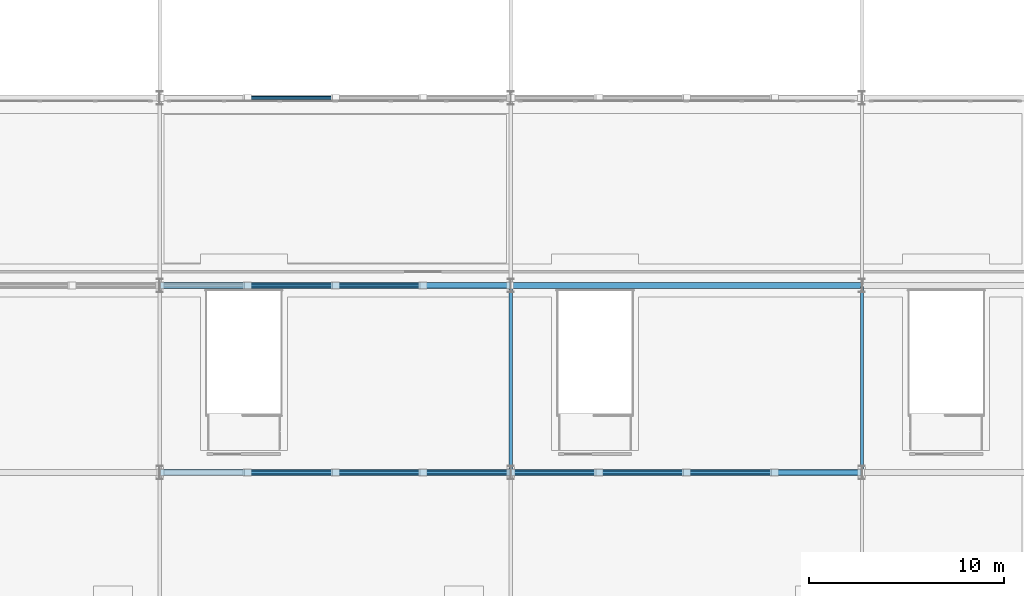
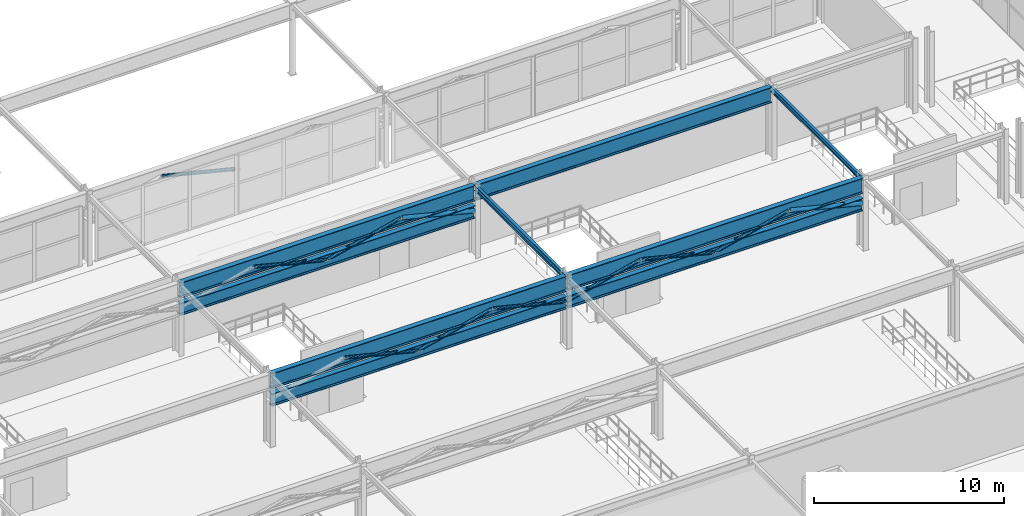
# One storey, part 43 of 125: 14 members, 6 beams.
"""IFC4 building model written with IfcOpenShell, lengths in metres."""

from ifc_helpers import new_model, si_unit, direction, frame, origin, origin_2d, place, context, subcontext, project, spatial, hollow_circle, i_section, extrude, material, material_profile, profile_set, type_object, element, save


model = new_model("IFC4")

# Units and contexts
model_context = context("Model", 3, precision=1e-05, world=origin(), true_north=direction((0.0, 1.0)))
body_context = subcontext(model_context, "Body", "Model", "MODEL_VIEW")
ifc_project = project(units=[si_unit("LENGTHUNIT", "METRE"), si_unit("AREAUNIT", "SQUARE_METRE"), si_unit("VOLUMEUNIT", "CUBIC_METRE"), si_unit("PLANEANGLEUNIT", "RADIAN"), si_unit("MASSUNIT", "GRAM", prefix="KILO")], contexts=[model_context])

# Site, building, storey
site_placement = place(None, origin())
site = spatial("IfcSite", under=ifc_project, at=site_placement, CompositionType="ELEMENT")
building_placement = place(site_placement, origin())
building = spatial("IfcBuilding", under=site, at=building_placement, Name="Myrtia Square Station", CompositionType="ELEMENT")
storey_placement = place(building_placement, frame((0.0, 0.0, 6.0)))
storey = spatial("IfcBuildingStorey", under=building, at=storey_placement, Name="L01", CompositionType="ELEMENT", Elevation=6.0)

# Beams
ifc_material = material(Name="Steel S355", Category="steel")
ifc_material_profile_1 = material_profile(ifc_material, i_section(OverallWidth=0.159912109375, OverallDepth=0.330078125, WebThickness=0.007568359375, FlangeThickness=0.011474609375, FilletRadius=0.01806640625, at=origin_2d()), Name="IPE 330")
ifc_profile_set_1 = profile_set([ifc_material_profile_1], Name="Steel S355")
beam_type_1 = type_object("IfcBeamType", Name="BM-IPE330", PredefinedType="BEAM", material=ifc_profile_set_1)
beam_1_placement = place(storey_placement, frame((63.0, 67.25, 4.389892578125), z_axis=(0.0, 1.0, 0.0), x_axis=(-1.0, 0.0, 0.0)))
element("IfcBeam", 1, at=beam_1_placement, inside=storey, type_object=beam_type_1, Name="Structural girder BMY-L01-0528", PredefinedType="BEAM", context=body_context, shape_type="SweptSolid", body=[
    extrude(i_section(OverallWidth=0.159912109375, OverallDepth=0.330078125, WebThickness=0.007568359375, FlangeThickness=0.011474609375, FilletRadius=0.01806640625, at=origin_2d()), origin(), (0.0, 0.0, 1.0), 9.5),
])
ifc_material_profile_2 = material_profile(ifc_material, i_section(OverallWidth=0.169921875, OverallDepth=0.360107421875, WebThickness=0.008056640625, FlangeThickness=0.0126953125, FilletRadius=0.01806640625, at=origin_2d()), Name="IPE 360")
ifc_profile_set_2 = profile_set([ifc_material_profile_2], Name="Steel S355")
beam_type_2 = type_object("IfcBeamType", Name="BM-IPE360", PredefinedType="BEAM", material=ifc_profile_set_2)
beam_2_placement = place(storey_placement, frame((45.0, 67.25, 4.375), z_axis=(0.0, 1.0, 0.0), x_axis=(-1.0, 0.0, 0.0)))
element("IfcBeam", 2, at=beam_2_placement, inside=storey, type_object=beam_type_2, Name="Structural girder BMY-L01-0515", PredefinedType="BEAM", context=body_context, shape_type="SweptSolid", body=[
    extrude(i_section(OverallWidth=0.169921875, OverallDepth=0.360107421875, WebThickness=0.008056640625, FlangeThickness=0.0126953125, FilletRadius=0.01806640625, at=origin_2d()), origin(), (0.0, 0.0, 1.0), 9.5),
])

# Members
ifc_material_profile_3 = material_profile(ifc_material, hollow_circle(Radius=0.109619140625, WallThickness=0.012451171875, at=origin_2d()), Name="CHS 219.1x12.5")
ifc_profile_set_3 = profile_set([ifc_material_profile_3], Name="Steel S355")
member_type_1 = type_object("IfcMemberType", Name="BRC-CHS219", PredefinedType="BRACE", material=ifc_profile_set_3)
for number, where, z_axis, x_axis, name in (
    (3, (31.5400390625, 67.199951171875, 3.949951171875), (0.97040677758, 0.0, -0.241476056838), (0.0, 1.0, 0.0), "Warren roof truss 04 diagonal 2"),
    (4, (36.0400390625, 67.199951171875, 2.85009765625), (0.97040677758, 0.0, 0.241476056838), (0.0, 1.0, 0.0), "Warren roof truss 04 diagonal 3"),
    (5, (40.5400390625, 67.199951171875, 3.949951171875), (0.97040677758, 0.0, -0.241476056838), (0.0, 1.0, 0.0), "Warren roof truss 04 diagonal 4"),
    (6, (45.0400390625, 67.199951171875, 2.85009765625), (0.97040677758, 0.0, 0.241476056838), (0.0, 1.0, 0.0), "Warren roof truss 04 diagonal 5"),
    (7, (49.5400390625, 67.199951171875, 3.949951171875), (0.97040677758, 0.0, -0.241476056838), (0.0, 1.0, 0.0), "Warren roof truss 04 diagonal 6"),
    (8, (54.0400390625, 67.199951171875, 2.85009765625), (0.97040677758, 0.0, 0.241476056838), (0.0, 1.0, 0.0), "Warren roof truss 04 diagonal 7"),
    (9, (31.5400390625, 76.800048828125, 3.949951171875), (0.97040677758, 0.0, -0.241476056838), (0.0, 1.0, 0.0), "Warren roof truss 05 diagonal 6"),
    (10, (36.0400390625, 76.800048828125, 2.85009765625), (0.97040677758, 0.0, 0.241476056838), (0.0, 1.0, 0.0), "Warren roof truss 05 diagonal 7"),
    (11, (31.5400390625, 86.39990234375, 3.949951171875), (0.97040677758, 0.0, -0.241476056838), (0.0, 1.0, 0.0), "Warren roof truss 06 diagonal 2"),
):
    element("IfcMember", number, at=place(storey_placement, frame(where, z_axis=z_axis, x_axis=x_axis)), inside=storey, type_object=member_type_1, Name=name, PredefinedType="BRACE", context=body_context, shape_type="SweptSolid", body=[
        extrude(hollow_circle(Radius=0.109619140625, WallThickness=0.012451171875, at=origin_2d()), origin(), (0.0, 0.0, 1.0), 4.5546875),
    ])
ifc_material_profile_4 = material_profile(ifc_material, hollow_circle(Radius=0.136474609375, WallThickness=0.01611328125, at=origin_2d()), Name="CHS 273x16")
ifc_profile_set_4 = profile_set([ifc_material_profile_4], Name="Steel S355")
member_type_2 = type_object("IfcMemberType", Name="BRC-CHS273", PredefinedType="BRACE", material=ifc_profile_set_4)
for number, where, z_axis, x_axis, name in (
    (12, (58.5400390625, 67.199951171875, 3.949951171875), (0.97040677758, 0.0, -0.241476056838), (0.0, 1.0, 0.0), "Warren roof truss 04 diagonal 8"),
    (13, (40.5400390625, 76.800048828125, 3.949951171875), (0.97040677758, 0.0, -0.241476056838), (0.0, 1.0, 0.0), "Warren roof truss 05 diagonal 8"),
):
    element("IfcMember", number, at=place(storey_placement, frame(where, z_axis=z_axis, x_axis=x_axis)), inside=storey, type_object=member_type_2, Name=name, PredefinedType="BRACE", context=body_context, shape_type="SweptSolid", body=[
        extrude(hollow_circle(Radius=0.136474609375, WallThickness=0.01611328125, at=origin_2d()), origin(), (0.0, 0.0, 1.0), 4.5546875),
    ])
ifc_material_profile_5 = material_profile(ifc_material, i_section(OverallWidth=0.300048828125, OverallDepth=0.800048828125, WebThickness=0.017578125, FlangeThickness=0.032958984375, FilletRadius=0.030029296875, at=origin_2d()), Name="HEB 800")
ifc_profile_set_5 = profile_set([ifc_material_profile_5], Name="Steel S355")
member_type_3 = type_object("IfcMemberType", Name="CHD-HEB800", PredefinedType="CHORD", material=ifc_profile_set_5)
for number, where, z_axis, x_axis, name in (
    (14, (27.050048828125, 67.199951171875, 2.85009765625), (1.0, 0.0, 0.0), (0.0, 1.0, 0.0), "Warren roof truss 04 bottom chord 1"),
    (15, (45.050048828125, 67.199951171875, 2.85009765625), (1.0, 0.0, 0.0), (0.0, 1.0, 0.0), "Warren roof truss 04 bottom chord 2"),
    (16, (27.050048828125, 76.800048828125, 2.85009765625), (1.0, 0.0, 0.0), (0.0, 1.0, 0.0), "Warren roof truss 05 bottom chord 2"),
):
    element("IfcMember", number, at=place(storey_placement, frame(where, z_axis=z_axis, x_axis=x_axis)), inside=storey, type_object=member_type_3, Name=name, PredefinedType="CHORD", context=body_context, shape_type="SweptSolid", body=[
        extrude(i_section(OverallWidth=0.300048828125, OverallDepth=0.800048828125, WebThickness=0.017578125, FlangeThickness=0.032958984375, FilletRadius=0.030029296875, at=origin_2d()), origin(), (0.0, 0.0, 1.0), 17.89990234375),
    ])

# Beams
ifc_material_profile_6 = material_profile(ifc_material, i_section(OverallWidth=0.300048828125, OverallDepth=1.0, WebThickness=0.01904296875, FlangeThickness=0.035888671875, FilletRadius=0.030029296875, at=origin_2d()), Name="HEB 1000")
ifc_profile_set_6 = profile_set([ifc_material_profile_6], Name="Steel S355")
beam_type_3 = type_object("IfcBeamType", Name="TG-HEB1000", PredefinedType="USERDEFINED", material=ifc_profile_set_6)
for number, where, z_axis, x_axis, name in (
    (17, (27.050048828125, 67.199951171875, 4.054931640625), (1.0, 0.0, 0.0), (0.0, 1.0, 0.0), "Structural girder TG-L01-0119"),
    (18, (45.050048828125, 67.199951171875, 4.054931640625), (1.0, 0.0, 0.0), (0.0, 1.0, 0.0), "Structural girder TG-L01-0120"),
    (19, (27.050048828125, 76.800048828125, 4.054931640625), (1.0, 0.0, 0.0), (0.0, 1.0, 0.0), "Structural girder TG-L01-0122"),
    (20, (45.050048828125, 76.800048828125, 4.054931640625), (1.0, 0.0, 0.0), (0.0, 1.0, 0.0), "Structural girder TG-L01-0123"),
):
    element("IfcBeam", number, at=place(storey_placement, frame(where, z_axis=z_axis, x_axis=x_axis)), inside=storey, type_object=beam_type_3, Name=name, ObjectType="TRANSFER GIRDER", PredefinedType="USERDEFINED", context=body_context, shape_type="SweptSolid", body=[
        extrude(i_section(OverallWidth=0.300048828125, OverallDepth=1.0, WebThickness=0.01904296875, FlangeThickness=0.035888671875, FilletRadius=0.030029296875, at=origin_2d()), origin(), (0.0, 0.0, 1.0), 17.89990234375),
    ])

save(model, "model.ifc")
